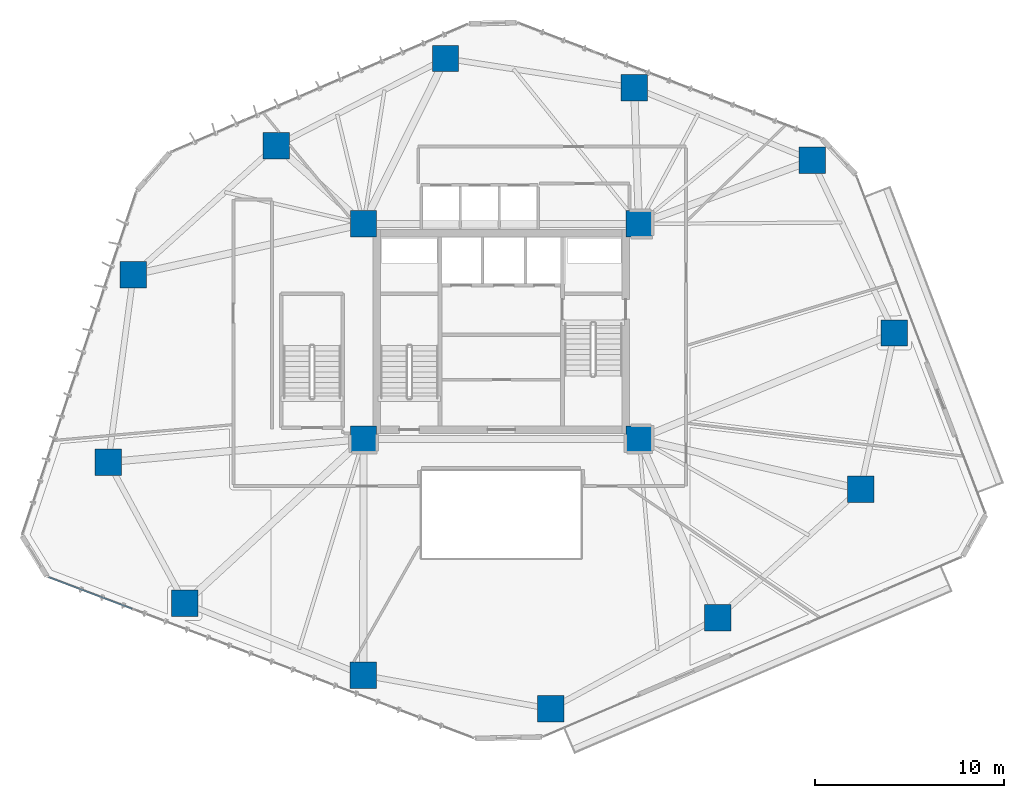
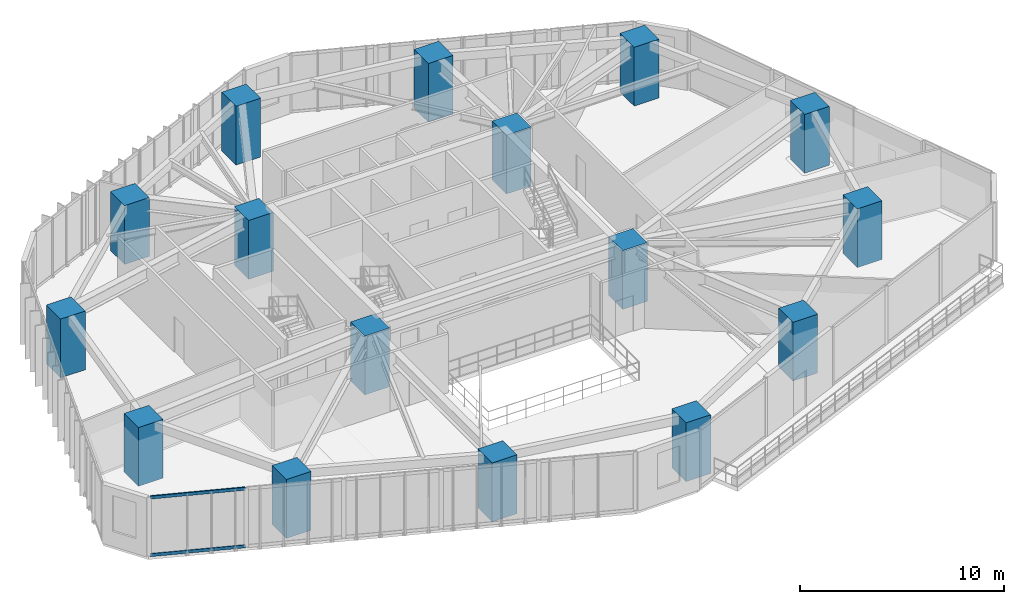
# One storey, part 1 of 23: 16 columns, 2 members, 1 element without a shape of its own.
"""IFC4 building model written with IfcOpenShell, lengths in metres."""

import ifcopenshell
import ifcopenshell.guid

model = None  # the IFC model being written
_history = None  # IfcOwnerHistory: only IFC2X3 demands one
_inside = {}  # id of a spatial element -> (the spatial element, [elements in it])
_under = {}  # id of a project, library or spatial element -> (it, [spatial elements below it])
_declared = {}  # id of a project -> (the project, [libraries it declares])
_typed = {}  # id of a type object -> (the type object, [elements of that type])
_made_of = {}  # id of a material, layer set ... -> (it, [elements and type objects made of it])


def new_model(schema):
    """Start an empty IFC model of exactly this schema.

    Asked for "IFC4X3", IfcOpenShell would pick the latest addendum, in which some entities
    have other attributes; the version numbers below select the first issue.
    IFC2X3 requires an IfcOwnerHistory on every rooted entity: one is made here for all.
    """
    global model, _history
    if schema == "IFC4X3":
        model = ifcopenshell.file(schema_version=(4, 3, 0, 0))
    else:
        model = ifcopenshell.file(schema=schema)
    _inside.clear()
    _under.clear()
    _declared.clear()
    _typed.clear()
    _made_of.clear()
    _history = None
    if model.schema == "IFC2X3":
        org = make("IfcOrganization", Name="unknown")
        user = make(
            "IfcPersonAndOrganization",
            ThePerson=make("IfcPerson", FamilyName="unknown"),
            TheOrganization=org,
        )
        app = make(
            "IfcApplication",
            ApplicationDeveloper=org,
            Version="unknown",
            ApplicationFullName="unknown",
            ApplicationIdentifier="unknown",
        )
        _history = make(
            "IfcOwnerHistory",
            OwningUser=user,
            OwningApplication=app,
            ChangeAction="ADDED",
            CreationDate=0,
        )
    return model


def make(cls, **values):
    """One entity of the class cls with the attributes given. An attribute that is None is left unset."""
    return model.create_entity(
        cls, **{name: value for name, value in values.items() if value is not None}
    )


def rooted(cls, **values):
    """An entity with a GlobalId (a new one), such as an element, a storey or a relation."""
    return make(cls, GlobalId=ifcopenshell.guid.new(), OwnerHistory=_history, **values)


def si_unit(unit_type, name, prefix=None):
    """IfcSIUnit, for example si_unit("LENGTHUNIT", "METRE", prefix="MILLI")."""
    return make("IfcSIUnit", UnitType=unit_type, Prefix=prefix, Name=name)


def assignment(units):
    """IfcUnitAssignment: the units of a project."""
    return None if units is None else make("IfcUnitAssignment", Units=units)


def point(xyz):
    """IfcCartesianPoint."""
    return None if xyz is None else make("IfcCartesianPoint", Coordinates=xyz)


def direction(xyz):
    """IfcDirection."""
    return None if xyz is None else make("IfcDirection", DirectionRatios=xyz)


def frame(location, z_axis=None, x_axis=None):
    """IfcAxis2Placement3D, a coordinate frame: its origin and axes. An axis left out is left unset."""
    return make(
        "IfcAxis2Placement3D",
        Location=point(location),
        Axis=direction(z_axis),
        RefDirection=direction(x_axis),
    )


def frame_2d(location, x_axis=None):
    """IfcAxis2Placement2D, a coordinate frame in the plane: its origin and x axis."""
    return make(
        "IfcAxis2Placement2D", Location=point(location), RefDirection=direction(x_axis)
    )


def origin():
    """The frame at (0, 0, 0) with its axes left unset."""
    return frame((0.0, 0.0, 0.0))


def origin_2d():
    """The frame at (0, 0) in the plane with its x axis left unset."""
    return frame_2d((0.0, 0.0))


def place(relative_to, where):
    """IfcLocalPlacement: puts the frame where relative to a parent placement (None: the world)."""
    return make(
        "IfcLocalPlacement", PlacementRelTo=relative_to, RelativePlacement=where
    )


def context(
    kind, dimensions, precision=None, world=None, true_north=None, identifier=None
):
    """IfcGeometricRepresentationContext, for example the 3D "Model" context."""
    return make(
        "IfcGeometricRepresentationContext",
        ContextIdentifier=identifier,
        ContextType=kind,
        CoordinateSpaceDimension=dimensions,
        Precision=precision,
        WorldCoordinateSystem=world,
        TrueNorth=true_north,
    )


def subcontext(parent, identifier, kind, view, scale=None):
    """IfcGeometricRepresentationSubContext, for example "Body" below "Model"."""
    return make(
        "IfcGeometricRepresentationSubContext",
        ContextIdentifier=identifier,
        ContextType=kind,
        ParentContext=parent,
        TargetScale=scale,
        TargetView=view,
    )


def project(units=None, contexts=None):
    """IfcProject with its units and contexts."""
    return rooted(
        "IfcProject",
        Name="project",
        RepresentationContexts=contexts,
        UnitsInContext=assignment(units),
    )


def spatial(cls, under=None, at=None, **own):
    """A site, building, storey or space (cls), placed at a placement, below another one or the project."""
    s = rooted(cls, ObjectPlacement=at, **own)
    if under is not None:
        _under.setdefault(under.id(), (under, []))[1].append(s)
    return s


def profile(cls, at=None, kind="AREA", **sizes):
    """A parametric profile (cls). Its sizes go by their IFC names, for example OverallWidth=200.0."""
    return make(cls, ProfileType=kind, Position=at, **sizes)


def rectangle(**sizes):
    """IfcRectangleProfileDef."""
    return profile("IfcRectangleProfileDef", **sizes)


def hollow_rectangle(**sizes):
    """IfcRectangleHollowProfileDef."""
    return profile("IfcRectangleHollowProfileDef", **sizes)


def extrude(swept, where, along, depth):
    """IfcExtrudedAreaSolid: the profile swept, set in the frame where, extruded along a direction by depth."""
    return make(
        "IfcExtrudedAreaSolid",
        SweptArea=swept,
        Position=where,
        ExtrudedDirection=direction(along),
        Depth=depth,
    )


def shape(context_of_items, identifier, shape_type, items):
    """IfcShapeRepresentation: the items that make up one representation, for example the "Body"."""
    return make(
        "IfcShapeRepresentation",
        ContextOfItems=context_of_items,
        RepresentationIdentifier=identifier,
        RepresentationType=shape_type,
        Items=items,
    )


def source(mapping_origin, context_of_items, identifier, shape_type, items):
    """IfcRepresentationMap: a shape defined once, which mapped items show again and again."""
    return make(
        "IfcRepresentationMap",
        MappingOrigin=mapping_origin,
        MappedRepresentation=shape(context_of_items, identifier, shape_type, items),
    )


def transform(
    local_origin,
    x_axis=None,
    y_axis=None,
    z_axis=None,
    scale=None,
    scale2=None,
    scale3=None,
    uniform=True,
):
    """IfcCartesianTransformationOperator3D, or its non-uniform kind. x_axis, y_axis, z_axis: its Axis1, 2, 3."""
    if uniform:
        return make(
            "IfcCartesianTransformationOperator3D",
            Axis1=direction(x_axis),
            Axis2=direction(y_axis),
            LocalOrigin=point(local_origin),
            Scale=scale,
            Axis3=direction(z_axis),
        )
    return make(
        "IfcCartesianTransformationOperator3DnonUniform",
        Axis1=direction(x_axis),
        Axis2=direction(y_axis),
        LocalOrigin=point(local_origin),
        Scale=scale,
        Axis3=direction(z_axis),
        Scale2=scale2,
        Scale3=scale3,
    )


def mapped(mapping_source, mapping_target):
    """IfcMappedItem: shows the shape of a source again, moved by a transform."""
    return make(
        "IfcMappedItem", MappingSource=mapping_source, MappingTarget=mapping_target
    )


def material(Name=None, Category=None):
    """IfcMaterial."""
    return make("IfcMaterial", Name=Name, Category=Category)


def layer(
    of_material, thickness, ventilated=None, Name=None, Category=None, Priority=None
):
    """IfcMaterialLayer: one layer of a wall or slab, of a material (None: an air gap)."""
    return make(
        "IfcMaterialLayer",
        Material=of_material,
        LayerThickness=thickness,
        IsVentilated=ventilated,
        Name=Name,
        Category=Category,
        Priority=Priority,
    )


def layer_set(layers, Name=None):
    """IfcMaterialLayerSet."""
    return make("IfcMaterialLayerSet", MaterialLayers=layers, LayerSetName=Name)


def material_profile(
    of_material, cross_section, Name=None, Category=None, Priority=None
):
    """IfcMaterialProfile: a cross section and its material."""
    return make(
        "IfcMaterialProfile",
        Name=Name,
        Material=of_material,
        Profile=cross_section,
        Priority=Priority,
        Category=Category,
    )


def profile_set(profiles, Name=None, composite=None):
    """IfcMaterialProfileSet."""
    return make(
        "IfcMaterialProfileSet",
        Name=Name,
        MaterialProfiles=profiles,
        CompositeProfile=composite,
    )


def made_of(thing, what):
    """Note that an element or type object is made of a material, layer set ...; save() writes the relation."""
    if what is not None:
        _made_of.setdefault(what.id(), (what, []))[1].append(thing)
    return thing


def type_object(cls, material=None, **own):
    """A type object (cls), such as IfcWallType, which elements share."""
    return made_of(rooted(cls, **own), material)


def type_shapes(of_type, sources):
    """Give a type object the sources (RepresentationMaps) that its elements show as mapped items."""
    of_type.RepresentationMaps = sources


def element(
    cls,
    number,
    at=None,
    inside=None,
    cuts=None,
    type_object=None,
    material=None,
    context=None,
    identifier="Body",
    shape_type=None,
    held_by="IfcProductDefinitionShape",
    body=None,
    shapes=None,
    **own,
):
    """One element of the class cls, such as IfcWall. Its Tag is "e" and its number.

    at: its placement. inside: the storey or other place that contains it. cuts: it is an
    opening in that element (IfcRelVoidsElement). A single representation is given by context,
    identifier, shape_type and body (its items); several are given by shapes. held_by: the class
    of the entity that holds the representations. save() writes the other relations.
    """
    e = rooted(cls, Tag="e%d" % number, ObjectPlacement=at, **own)
    if body is not None:
        shapes = [shape(context, identifier, shape_type, body)]
    if shapes is not None:
        e.Representation = make(held_by, Representations=shapes)
    if inside is not None:
        _inside.setdefault(inside.id(), (inside, []))[1].append(e)
    if cuts is not None:
        rooted(
            "IfcRelVoidsElement", RelatingBuildingElement=cuts, RelatedOpeningElement=e
        )
    if type_object is not None:
        _typed.setdefault(type_object.id(), (type_object, []))[1].append(e)
    return made_of(e, material)


def aggregate(whole, parts):
    """IfcRelAggregates: a whole, such as a stair, and the parts it consists of."""
    return rooted("IfcRelAggregates", RelatingObject=whole, RelatedObjects=parts)


def save(model, path):
    """Write the relations noted so far, then the file.

    IfcRelAggregates (storeys below a building ...), IfcRelContainedInSpatialStructure (elements
    in a storey), IfcRelDefinesByType, IfcRelAssociatesMaterial and IfcRelDeclares: one each for
    every whole, place, type object, material and project.
    """
    for whole, parts in _under.values():
        aggregate(whole, parts)
    for where, things in _inside.values():
        rooted(
            "IfcRelContainedInSpatialStructure",
            RelatedElements=things,
            RelatingStructure=where,
        )
    for kind, things in _typed.values():
        rooted("IfcRelDefinesByType", RelatedObjects=things, RelatingType=kind)
    for what, things in _made_of.values():
        rooted("IfcRelAssociatesMaterial", RelatedObjects=things, RelatingMaterial=what)
    for by, libraries in _declared.values():
        rooted("IfcRelDeclares", RelatingContext=by, RelatedDefinitions=libraries)
    model.write(path)


model = new_model("IFC4")

# Units and contexts
model_context = context("Model", 3, precision=1e-05, world=origin(), true_north=direction((0.0, 1.0)))
body_context = subcontext(model_context, "Body", "Model", "MODEL_VIEW")
ifc_project = project(units=[si_unit("LENGTHUNIT", "METRE"), si_unit("AREAUNIT", "SQUARE_METRE"), si_unit("VOLUMEUNIT", "CUBIC_METRE"), si_unit("PLANEANGLEUNIT", "RADIAN"), si_unit("MASSUNIT", "GRAM", prefix="KILO")], contexts=[model_context])

# Site, building, storey
site_placement = place(None, origin())
site = spatial("IfcSite", under=ifc_project, at=site_placement, CompositionType="ELEMENT")
building_placement = place(site_placement, origin())
building = spatial("IfcBuilding", under=site, at=building_placement, Name="Talar Marvaseh", CompositionType="ELEMENT")
storey_placement = place(building_placement, frame((0.0, 0.0, 27.800048828125)))
storey = spatial("IfcBuildingStorey", under=building, at=storey_placement, Name="L06", CompositionType="ELEMENT", Elevation=27.800048828125)

# Columns
ifc_material_1 = material(Name="Concrete C70/85", Category="concrete")
ifc_material_profile_1 = material_profile(ifc_material_1, rectangle(XDim=1.39990234375, YDim=1.39990234375, at=origin_2d()), Name="RC1400x1400")
ifc_profile_set_1 = profile_set([ifc_material_profile_1], Name="Concrete C70/85")
column_type = type_object("IfcColumnType", Name="Zone 1 Tube Column RC1400x1400", PredefinedType="COLUMN", material=ifc_profile_set_1)
for number, where, z_axis, x_axis, name in (
    (1, (42.47705078125, 40.26904296875, 0.0), (0.0, 0.0, 1.0), (1.0, 0.0, 0.0), "L06 Zone 1 Tube Column RC1400x1400"),
    (2, (46.841064453125, 31.118896484375, 0.0), (0.0, 0.0, 1.0), (1.0, 0.0, 0.0), "L06 Zone 1 Tube Column RC1400x1400"),
    (3, (45.0439453125, 22.840087890625, 0.0), (0.0, 0.0, 1.0), (1.0, 0.0, 0.0), "L06 Zone 1 Tube Column RC1400x1400"),
    (4, (37.468017578125, 16.02099609375, 0.0), (0.0, 0.0, 1.0), (1.0, 0.0, 0.0), "L06 Zone 1 Tube Column RC1400x1400"),
    (5, (28.625, 11.195068359375, 0.0), (0.0, 0.0, 1.0), (1.0, 0.0, 0.0), "L06 Zone 1 Tube Column RC1400x1400"),
    (6, (18.68310546875, 12.97900390625, 0.0), (0.0, 0.0, 1.0), (1.0, 0.0, 0.0), "L06 Zone 1 Tube Column RC1400x1400"),
    (7, (9.23193359375, 16.7958984375, 0.0), (0.0, 0.0, 1.0), (1.0, 0.0, 0.0), "L06 Zone 1 Tube Column RC1400x1400"),
    (8, (5.175048828125, 24.27587890625, 0.0), (0.0, 0.0, 1.0), (1.0, 0.0, 0.0), "L06 Zone 1 Tube Column RC1400x1400"),
    (9, (6.501953125, 34.214111328125, 0.0), (0.0, 0.0, 1.0), (1.0, 0.0, 0.0), "L06 Zone 1 Tube Column RC1400x1400"),
    (10, (14.069091796875, 41.04296875, 0.0), (0.0, 0.0, 1.0), (1.0, 0.0, 0.0), "L06 Zone 1 Tube Column RC1400x1400"),
    (11, (23.047119140625, 45.6669921875, 0.0), (0.0, 0.0, 1.0), (1.0, 0.0, 0.0), "L06 Zone 1 Tube Column RC1400x1400"),
    (12, (33.0458984375, 44.117919921875, 0.0), (0.0, 0.0, 1.0), (1.0, 0.0, 0.0), "L06 Zone 1 Tube Column RC1400x1400"),
    (13, (18.699951171875, 25.5, 0.0), (0.0, 0.0, 1.0), (1.0, 0.0, 0.0), "L06 Zone 1 Tube Column RC1400x1400"),
    (14, (33.300048828125, 25.5, 0.0), (0.0, 0.0, 1.0), (1.0, 0.0, 0.0), "L06 Zone 1 Tube Column RC1400x1400"),
    (15, (33.300048828125, 36.89990234375, 0.0), (0.0, 0.0, 1.0), (1.0, 0.0, 0.0), "L06 Zone 1 Tube Column RC1400x1400"),
    (16, (18.699951171875, 36.89990234375, 0.0), (0.0, 0.0, 1.0), (1.0, 0.0, 0.0), "L06 Zone 1 Tube Column RC1400x1400"),
):
    element("IfcColumn", number, at=place(storey_placement, frame(where, z_axis=z_axis, x_axis=x_axis)), inside=storey, type_object=column_type, Name=name, PredefinedType="COLUMN", context=body_context, shape_type="SweptSolid", body=[
        extrude(rectangle(XDim=1.39990234375, YDim=1.39990234375, at=origin_2d()), origin(), (0.0, 0.0, 1.0), 3.52001953125),
    ])

# Curtain wall, members
ifc_material_2 = material(Name="Architectural Aluminium", Category="aluminium")
ifc_layer = layer(ifc_material_2, 0.219970703125)
ifc_layer_set = layer_set([ifc_layer], Name="Architectural Aluminium")
curtain_wall_type = type_object("IfcCurtainWallType", Name="Unitised Low-E Museum Curtain Wall Z1", PredefinedType="NOTDEFINED", material=ifc_layer_set)
curtain_wall_placement = place(storey_placement, origin())
curtain_wall = element("IfcCurtainWall", 17, at=curtain_wall_placement, inside=storey, type_object=curtain_wall_type, Name="L06 Unitised Low-E Museum Curtain Wall Z1", PredefinedType="NOTDEFINED")
ifc_material_profile_2 = material_profile(ifc_material_2, hollow_rectangle(XDim=0.074951171875, YDim=0.179931640625, WallThickness=0.0048828125, at=origin_2d()), Name="RHS180x75x5")
ifc_profile_set_2 = profile_set([ifc_material_profile_2], Name="Architectural Aluminium")
member_type = type_object("IfcMemberType", Name="Unitised Curtain Wall Transom RHS180x75x5", PredefinedType="USERDEFINED", material=ifc_profile_set_2)
shared_shape = source(origin(), body_context, "Body", "SweptSolid", [
    extrude(hollow_rectangle(XDim=0.074951171875, YDim=0.179931640625, WallThickness=0.0048828125, at=origin_2d()), origin(), (0.0, 0.0, 1.0), 4.72509765625),
])
type_shapes(member_type, [shared_shape])
member_1_placement = place(storey_placement, frame((6.4365234375, 16.501708984375, 0.037353515625), z_axis=(-0.935194709062, 0.35413395226, 0.0), x_axis=(-0.35413395226, -0.935194709062, 0.0)))
member_1 = element("IfcMember", 18, at=member_1_placement, type_object=member_type, Name="CW-Z1 transom 5.1", ObjectType="TRANSOM", PredefinedType="USERDEFINED", context=body_context, shape_type="MappedRepresentation", body=[
    mapped(shared_shape, transform((0.0, 0.0, 0.0), x_axis=(1.0, 0.0, 0.0), y_axis=(0.0, 1.0, 0.0), z_axis=(0.0, 0.0, 1.0), scale=1.0)),
])
member_2_placement = place(storey_placement, frame((6.4365234375, 16.501708984375, 3.482421875), z_axis=(-0.935194709062, 0.35413395226, 0.0), x_axis=(-0.35413395226, -0.935194709062, 0.0)))
member_2 = element("IfcMember", 19, at=member_2_placement, type_object=member_type, Name="CW-Z1 transom 5.2", ObjectType="TRANSOM", PredefinedType="USERDEFINED", context=body_context, shape_type="MappedRepresentation", body=[
    mapped(shared_shape, transform((0.0, 0.0, 0.0), x_axis=(1.0, 0.0, 0.0), y_axis=(0.0, 1.0, 0.0), z_axis=(0.0, 0.0, 1.0), scale=1.0)),
])
aggregate(curtain_wall, [member_1, member_2])

save(model, "model.ifc")
